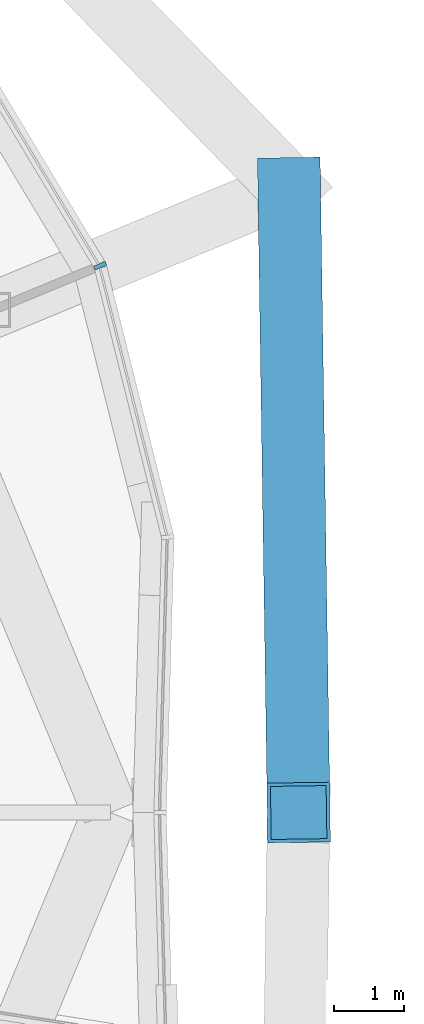
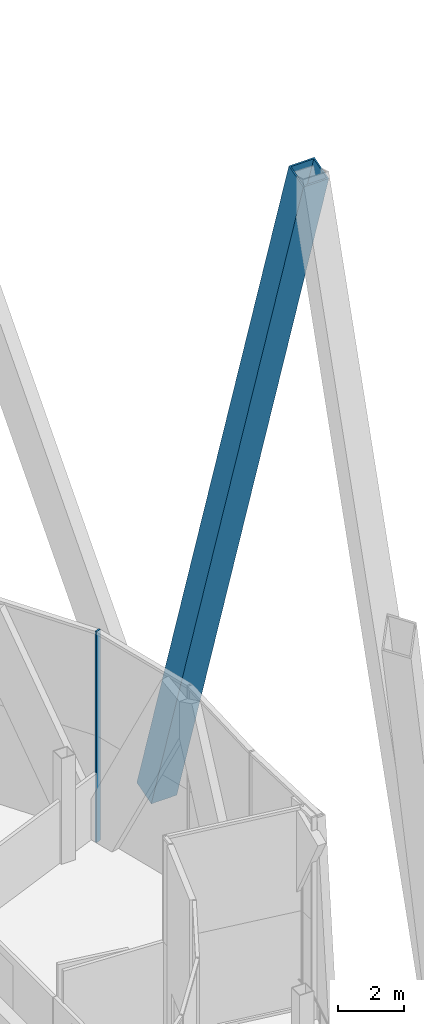
# One storey, part 16 of 53: 2 members, 1 element without a shape of its own.
"""IFC4 building model written with IfcOpenShell, lengths in metres."""

from ifc_helpers import new_model, si_unit, direction, frame, origin, origin_2d, place, context, subcontext, project, spatial, rectangle, hollow_rectangle, extrude, material, material_profile, profile_set, type_object, element, aggregate, save


model = new_model("IFC4")

# Units and contexts
model_context = context("Model", 3, precision=1e-05, world=origin(), true_north=direction((0.0, 1.0)))
body_context = subcontext(model_context, "Body", "Model", "MODEL_VIEW")
ifc_project = project(units=[si_unit("LENGTHUNIT", "METRE"), si_unit("AREAUNIT", "SQUARE_METRE"), si_unit("VOLUMEUNIT", "CUBIC_METRE"), si_unit("PLANEANGLEUNIT", "RADIAN"), si_unit("MASSUNIT", "GRAM", prefix="KILO")], contexts=[model_context])

# Site, building, storey
site_placement = place(None, origin())
site = spatial("IfcSite", under=ifc_project, at=site_placement, CompositionType="ELEMENT")
building_placement = place(site_placement, origin())
building = spatial("IfcBuilding", under=site, at=building_placement, Name="Ogive Gate Towers", CompositionType="ELEMENT")
storey_placement = place(building_placement, frame((0.0, 0.0, 240.60009765625)))
storey = spatial("IfcBuildingStorey", under=building, at=storey_placement, Name="L57", CompositionType="ELEMENT", Elevation=240.60009765625)

# Member
ifc_material_1 = material(Name="Steel SM460", Category="steel")
ifc_material_profile_1 = material_profile(ifc_material_1, hollow_rectangle(XDim=0.89990234375, YDim=0.89990234375, WallThickness=0.050048828125, at=origin_2d()), Name="BX 900x900x50")
ifc_profile_set_1 = profile_set([ifc_material_profile_1], Name="Steel SM460")
member_type_1 = type_object("IfcMemberType", Name="Diagrid diagonal BX 900x900x50", PredefinedType="BRACE", material=ifc_profile_set_1)
member_1_placement = place(storey_placement, frame((-14.32568359375, 8.977783203125, 0.0), z_axis=(0.00458667981, -0.303356073086, 0.952866231582), x_axis=(0.999885715585, 0.015118061019, 0.0)))
element("IfcMember", 1, at=member_1_placement, inside=storey, type_object=member_type_1, Name="T1/L57/SDG001", PredefinedType="BRACE", context=body_context, shape_type="SweptSolid", body=[
    extrude(hollow_rectangle(XDim=0.89990234375, YDim=0.89990234375, WallThickness=0.050048828125, at=origin_2d()), origin(), (0.0, 0.0, 1.0), 29.594970703125),
])

# Curtain wall, member
ifc_material_2 = material(Name="Pale metal aluminium", Category="aluminium")
curtain_wall_type = type_object("IfcCurtainWallType", Name="Tower unitised wall, high zone", PredefinedType="NOTDEFINED", material=ifc_material_2)
curtain_wall_placement = place(storey_placement, origin())
curtain_wall = element("IfcCurtainWall", 2, at=curtain_wall_placement, inside=storey, type_object=curtain_wall_type, Name="CW2 T1 ECW03", PredefinedType="NOTDEFINED")
ifc_material_profile_2 = material_profile(ifc_material_2, rectangle(XDim=0.179931640625, YDim=0.06005859375, at=origin_2d()), Name="60 x 180 aluminium box")
ifc_profile_set_2 = profile_set([ifc_material_profile_2], Name="Pale metal aluminium")
member_type_2 = type_object("IfcMemberType", Name="Tower unitised wall, high zone mullion 60 x 180", PredefinedType="MULLION", material=ifc_profile_set_2)
member_2_placement = place(storey_placement, frame((-17.041015625, 7.85302734375, -0.300048828125), z_axis=(0.0, 0.0, 1.0), x_axis=(-0.923879532511, -0.382683432365, 0.0)))
member_2 = element("IfcMember", 3, at=member_2_placement, type_object=member_type_2, Name="CW2 mullion", PredefinedType="MULLION", context=body_context, shape_type="SweptSolid", body=[
    extrude(rectangle(XDim=0.179931640625, YDim=0.06005859375, at=origin_2d()), origin(), (0.0, 0.0, 1.0), 7.800048828125),
])
aggregate(curtain_wall, [member_2])

save(model, "model.ifc")
